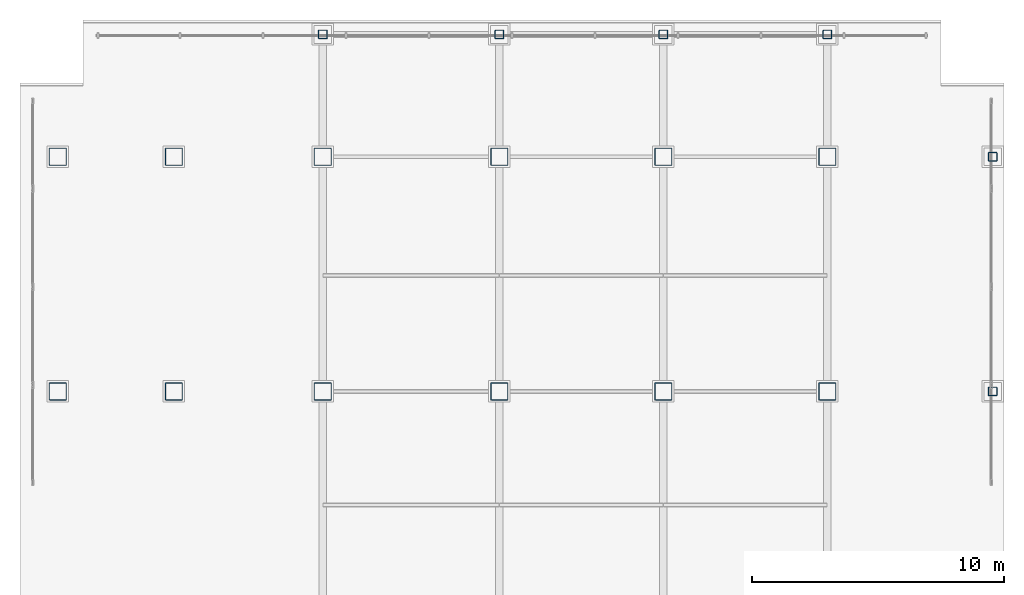
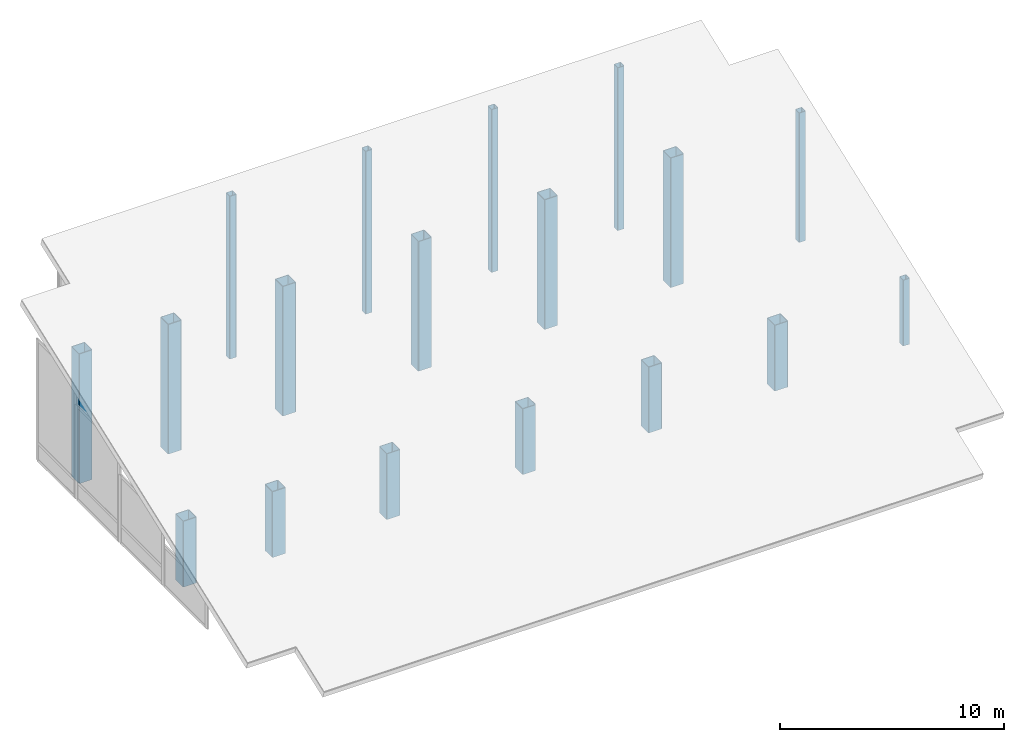
# One storey, part 1 of 12: 18 columns.
"""IFC4 building model written with IfcOpenShell, lengths in metres."""

from ifc_helpers import new_model, si_unit, direction, frame, origin, origin_2d, place, context, subcontext, project, spatial, hollow_rectangle, extrude, material, material_profile, profile_set, type_object, element, save


model = new_model("IFC4")

# Units and contexts
model_context = context("Model", 3, precision=1e-05, world=origin(), true_north=direction((0.0, 1.0)))
body_context = subcontext(model_context, "Body", "Model", "MODEL_VIEW")
ifc_project = project(units=[si_unit("LENGTHUNIT", "METRE"), si_unit("AREAUNIT", "SQUARE_METRE"), si_unit("VOLUMEUNIT", "CUBIC_METRE"), si_unit("PLANEANGLEUNIT", "RADIAN"), si_unit("MASSUNIT", "GRAM", prefix="KILO")], contexts=[model_context])

# Site, building, storey
site_placement = place(None, origin())
site = spatial("IfcSite", under=ifc_project, at=site_placement, CompositionType="ELEMENT")
building_placement = place(site_placement, origin())
building = spatial("IfcBuilding", under=site, at=building_placement, Name="Noeulbin Bourse Tower", CompositionType="ELEMENT")
storey_placement = place(building_placement, frame((0.0, 0.0, 317.39990234375)))
storey = spatial("IfcBuildingStorey", under=building, at=storey_placement, Name="RF", CompositionType="ELEMENT", Elevation=317.39990234375)

# Columns
ifc_material = material(Name="Steel S355", Category="steel")
ifc_material_profile_1 = material_profile(ifc_material, hollow_rectangle(XDim=0.35009765625, YDim=0.35009765625, WallThickness=0.01611328125, InnerFilletRadius=0.01611328125, OuterFilletRadius=0.031982421875, at=origin_2d()), Name="SHS-350x350x16", Category="LoadBearing")
ifc_profile_set_1 = profile_set([ifc_material_profile_1], Name="Steel S355")
column_type_1 = type_object("IfcColumnType", Name="COL-CRN-Z5", PredefinedType="COLUMN", material=ifc_profile_set_1)
for number, where, z_axis, x_axis, name in (
    (1, (24.0, 43.14990234375, 0.0), (0.0, 0.0, 1.0), (1.0, 0.0, 0.0), "Crown Roof Support Column COL-CRN-Z5-13"),
    (2, (31.0, 43.14990234375, 0.0), (0.0, 0.0, 1.0), (1.0, 0.0, 0.0), "Crown Roof Support Column COL-CRN-Z5-14"),
    (3, (37.5, 43.14990234375, 0.0), (0.0, 0.0, 1.0), (1.0, 0.0, 0.0), "Crown Roof Support Column COL-CRN-Z5-15"),
    (4, (44.0, 43.14990234375, 0.0), (0.0, 0.0, 1.0), (1.0, 0.0, 0.0), "Crown Roof Support Column COL-CRN-Z5-16"),
):
    element("IfcColumn", number, at=place(storey_placement, frame(where, z_axis=z_axis, x_axis=x_axis)), inside=storey, type_object=column_type_1, Name=name, PredefinedType="COLUMN", context=body_context, shape_type="SweptSolid", body=[
        extrude(hollow_rectangle(XDim=0.35009765625, YDim=0.35009765625, WallThickness=0.01611328125, InnerFilletRadius=0.01611328125, OuterFilletRadius=0.031982421875, at=origin_2d()), origin(), (0.0, 0.0, 1.0), 8.880126953125),
    ])
column_1_placement = place(storey_placement, frame((50.550048828125, 29.0, 0.0), z_axis=(0.0, 0.0, 1.0), x_axis=(1.0, 0.0, 0.0)))
element("IfcColumn", 5, at=column_1_placement, inside=storey, type_object=column_type_1, Name="Crown Roof Support Column COL-CRN-Z5-17", PredefinedType="COLUMN", context=body_context, shape_type="SweptSolid", body=[
    extrude(hollow_rectangle(XDim=0.35009765625, YDim=0.35009765625, WallThickness=0.01611328125, InnerFilletRadius=0.01611328125, OuterFilletRadius=0.031982421875, at=origin_2d()), origin(), (0.0, 0.0, 1.0), 3.589599609375),
])
column_2_placement = place(storey_placement, frame((50.550048828125, 38.300048828125, 0.0), z_axis=(0.0, 0.0, 1.0), x_axis=(1.0, 0.0, 0.0)))
element("IfcColumn", 6, at=column_2_placement, inside=storey, type_object=column_type_1, Name="Crown Roof Support Column COL-CRN-Z5-18", PredefinedType="COLUMN", context=body_context, shape_type="SweptSolid", body=[
    extrude(hollow_rectangle(XDim=0.35009765625, YDim=0.35009765625, WallThickness=0.01611328125, InnerFilletRadius=0.01611328125, OuterFilletRadius=0.031982421875, at=origin_2d()), origin(), (0.0, 0.0, 1.0), 7.066650390625),
])
ifc_material_profile_2 = material_profile(ifc_material, hollow_rectangle(XDim=0.699951171875, YDim=0.699951171875, WallThickness=0.028076171875, InnerFilletRadius=0.013916015625, OuterFilletRadius=0.0419921875, at=origin_2d()), Name="BOX-700x700x28", Category="LoadBearing")
ifc_profile_set_2 = profile_set([ifc_material_profile_2], Name="Steel S355")
column_type_2 = type_object("IfcColumnType", Name="COL-TRK-Z4", PredefinedType="COLUMN", material=ifc_profile_set_2)
column_3_placement = place(storey_placement, frame((13.5, 29.0, 0.0), z_axis=(0.0, 0.0, 1.0), x_axis=(1.0, 0.0, 0.0)))
element("IfcColumn", 7, at=column_3_placement, inside=storey, type_object=column_type_2, Name="Crown Roof Support Column COL-TRK-Z4-01", PredefinedType="COLUMN", context=body_context, shape_type="SweptSolid", body=[
    extrude(hollow_rectangle(XDim=0.699951171875, YDim=0.699951171875, WallThickness=0.028076171875, InnerFilletRadius=0.013916015625, OuterFilletRadius=0.0419921875, at=origin_2d()), origin(), (0.0, 0.0, 1.0), 3.589599609375),
])
column_4_placement = place(storey_placement, frame((13.5, 38.300048828125, 0.0), z_axis=(0.0, 0.0, 1.0), x_axis=(1.0, 0.0, 0.0)))
element("IfcColumn", 8, at=column_4_placement, inside=storey, type_object=column_type_2, Name="Crown Roof Support Column COL-TRK-Z4-02", PredefinedType="COLUMN", context=body_context, shape_type="SweptSolid", body=[
    extrude(hollow_rectangle(XDim=0.699951171875, YDim=0.699951171875, WallThickness=0.028076171875, InnerFilletRadius=0.013916015625, OuterFilletRadius=0.0419921875, at=origin_2d()), origin(), (0.0, 0.0, 1.0), 7.066650390625),
])
column_5_placement = place(storey_placement, frame((18.10009765625, 29.0, 0.0), z_axis=(0.0, 0.0, 1.0), x_axis=(1.0, 0.0, 0.0)))
element("IfcColumn", 9, at=column_5_placement, inside=storey, type_object=column_type_2, Name="Crown Roof Support Column COL-TRK-Z4-03", PredefinedType="COLUMN", context=body_context, shape_type="SweptSolid", body=[
    extrude(hollow_rectangle(XDim=0.699951171875, YDim=0.699951171875, WallThickness=0.028076171875, InnerFilletRadius=0.013916015625, OuterFilletRadius=0.0419921875, at=origin_2d()), origin(), (0.0, 0.0, 1.0), 3.589599609375),
])
column_6_placement = place(storey_placement, frame((18.10009765625, 38.300048828125, 0.0), z_axis=(0.0, 0.0, 1.0), x_axis=(1.0, 0.0, 0.0)))
element("IfcColumn", 10, at=column_6_placement, inside=storey, type_object=column_type_2, Name="Crown Roof Support Column COL-TRK-Z4-04", PredefinedType="COLUMN", context=body_context, shape_type="SweptSolid", body=[
    extrude(hollow_rectangle(XDim=0.699951171875, YDim=0.699951171875, WallThickness=0.028076171875, InnerFilletRadius=0.013916015625, OuterFilletRadius=0.0419921875, at=origin_2d()), origin(), (0.0, 0.0, 1.0), 7.066650390625),
])
column_7_placement = place(storey_placement, frame((24.0, 29.0, 0.0), z_axis=(0.0, 0.0, 1.0), x_axis=(1.0, 0.0, 0.0)))
element("IfcColumn", 11, at=column_7_placement, inside=storey, type_object=column_type_2, Name="Crown Roof Support Column COL-TRK-Z4-05", PredefinedType="COLUMN", context=body_context, shape_type="SweptSolid", body=[
    extrude(hollow_rectangle(XDim=0.699951171875, YDim=0.699951171875, WallThickness=0.028076171875, InnerFilletRadius=0.013916015625, OuterFilletRadius=0.0419921875, at=origin_2d()), origin(), (0.0, 0.0, 1.0), 3.589599609375),
])
column_8_placement = place(storey_placement, frame((24.0, 38.300048828125, 0.0), z_axis=(0.0, 0.0, 1.0), x_axis=(1.0, 0.0, 0.0)))
element("IfcColumn", 12, at=column_8_placement, inside=storey, type_object=column_type_2, Name="Crown Roof Support Column COL-TRK-Z4-06", PredefinedType="COLUMN", context=body_context, shape_type="SweptSolid", body=[
    extrude(hollow_rectangle(XDim=0.699951171875, YDim=0.699951171875, WallThickness=0.028076171875, InnerFilletRadius=0.013916015625, OuterFilletRadius=0.0419921875, at=origin_2d()), origin(), (0.0, 0.0, 1.0), 7.066650390625),
])
column_9_placement = place(storey_placement, frame((31.0, 29.0, 0.0), z_axis=(0.0, 0.0, 1.0), x_axis=(1.0, 0.0, 0.0)))
element("IfcColumn", 13, at=column_9_placement, inside=storey, type_object=column_type_2, Name="Crown Roof Support Column COL-TRK-Z4-07", PredefinedType="COLUMN", context=body_context, shape_type="SweptSolid", body=[
    extrude(hollow_rectangle(XDim=0.699951171875, YDim=0.699951171875, WallThickness=0.028076171875, InnerFilletRadius=0.013916015625, OuterFilletRadius=0.0419921875, at=origin_2d()), origin(), (0.0, 0.0, 1.0), 3.589599609375),
])
column_10_placement = place(storey_placement, frame((31.0, 38.300048828125, 0.0), z_axis=(0.0, 0.0, 1.0), x_axis=(1.0, 0.0, 0.0)))
element("IfcColumn", 14, at=column_10_placement, inside=storey, type_object=column_type_2, Name="Crown Roof Support Column COL-TRK-Z4-08", PredefinedType="COLUMN", context=body_context, shape_type="SweptSolid", body=[
    extrude(hollow_rectangle(XDim=0.699951171875, YDim=0.699951171875, WallThickness=0.028076171875, InnerFilletRadius=0.013916015625, OuterFilletRadius=0.0419921875, at=origin_2d()), origin(), (0.0, 0.0, 1.0), 7.066650390625),
])
column_11_placement = place(storey_placement, frame((37.5, 29.0, 0.0), z_axis=(0.0, 0.0, 1.0), x_axis=(1.0, 0.0, 0.0)))
element("IfcColumn", 15, at=column_11_placement, inside=storey, type_object=column_type_2, Name="Crown Roof Support Column COL-TRK-Z4-09", PredefinedType="COLUMN", context=body_context, shape_type="SweptSolid", body=[
    extrude(hollow_rectangle(XDim=0.699951171875, YDim=0.699951171875, WallThickness=0.028076171875, InnerFilletRadius=0.013916015625, OuterFilletRadius=0.0419921875, at=origin_2d()), origin(), (0.0, 0.0, 1.0), 3.589599609375),
])
column_12_placement = place(storey_placement, frame((37.5, 38.300048828125, 0.0), z_axis=(0.0, 0.0, 1.0), x_axis=(1.0, 0.0, 0.0)))
element("IfcColumn", 16, at=column_12_placement, inside=storey, type_object=column_type_2, Name="Crown Roof Support Column COL-TRK-Z4-10", PredefinedType="COLUMN", context=body_context, shape_type="SweptSolid", body=[
    extrude(hollow_rectangle(XDim=0.699951171875, YDim=0.699951171875, WallThickness=0.028076171875, InnerFilletRadius=0.013916015625, OuterFilletRadius=0.0419921875, at=origin_2d()), origin(), (0.0, 0.0, 1.0), 7.066650390625),
])
column_13_placement = place(storey_placement, frame((44.0, 29.0, 0.0), z_axis=(0.0, 0.0, 1.0), x_axis=(1.0, 0.0, 0.0)))
element("IfcColumn", 17, at=column_13_placement, inside=storey, type_object=column_type_2, Name="Crown Roof Support Column COL-TRK-Z4-11", PredefinedType="COLUMN", context=body_context, shape_type="SweptSolid", body=[
    extrude(hollow_rectangle(XDim=0.699951171875, YDim=0.699951171875, WallThickness=0.028076171875, InnerFilletRadius=0.013916015625, OuterFilletRadius=0.0419921875, at=origin_2d()), origin(), (0.0, 0.0, 1.0), 3.589599609375),
])
column_14_placement = place(storey_placement, frame((44.0, 38.300048828125, 0.0), z_axis=(0.0, 0.0, 1.0), x_axis=(1.0, 0.0, 0.0)))
element("IfcColumn", 18, at=column_14_placement, inside=storey, type_object=column_type_2, Name="Crown Roof Support Column COL-TRK-Z4-12", PredefinedType="COLUMN", context=body_context, shape_type="SweptSolid", body=[
    extrude(hollow_rectangle(XDim=0.699951171875, YDim=0.699951171875, WallThickness=0.028076171875, InnerFilletRadius=0.013916015625, OuterFilletRadius=0.0419921875, at=origin_2d()), origin(), (0.0, 0.0, 1.0), 7.066650390625),
])

save(model, "model.ifc")
